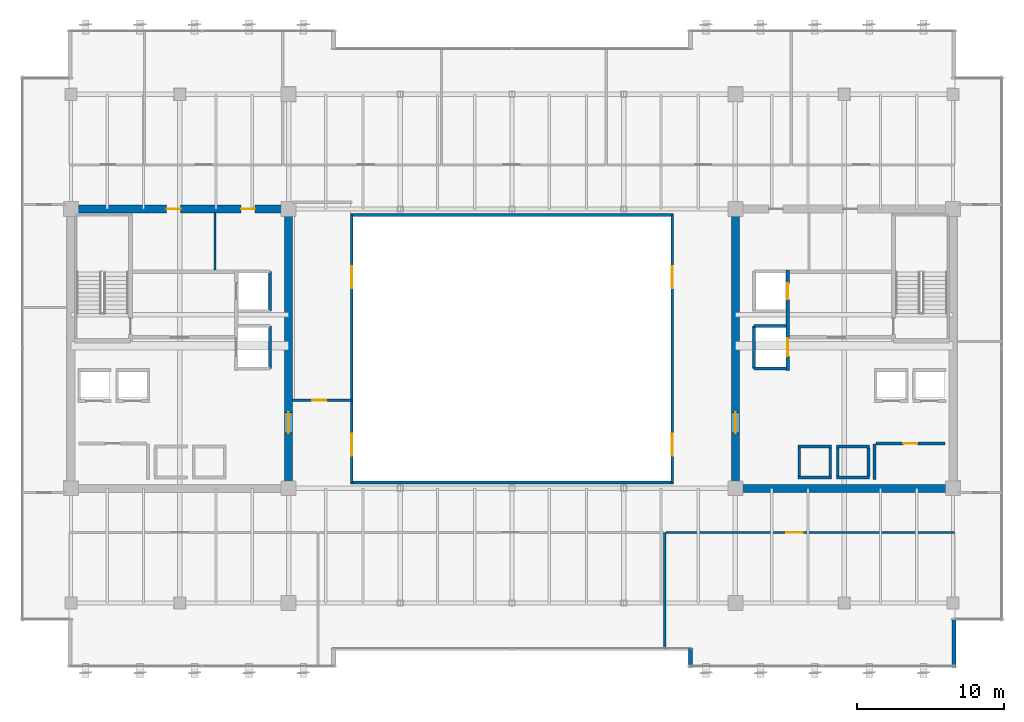
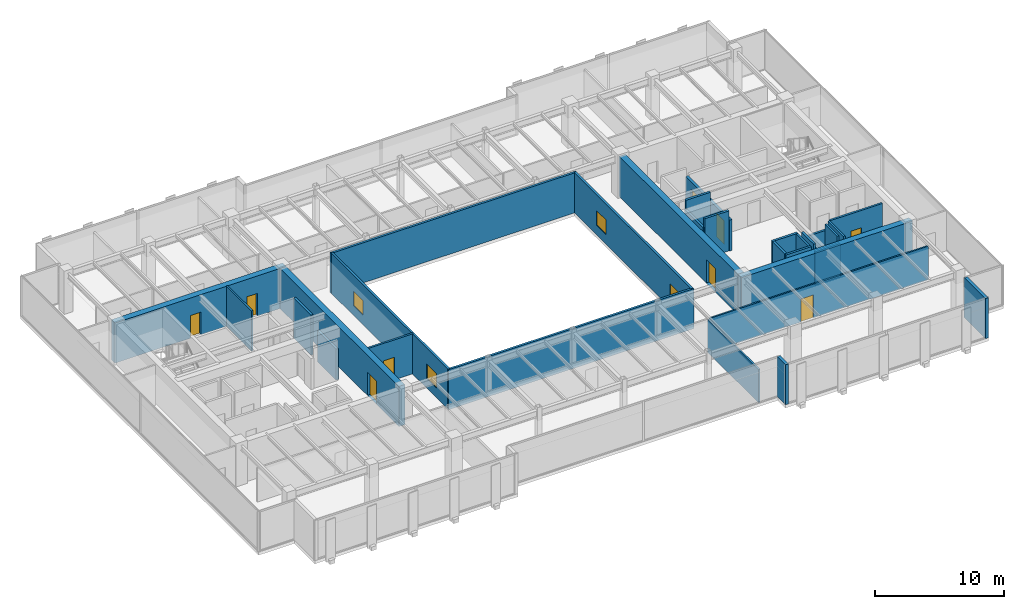
# One storey, part 29 of 35: 30 walls, 9 doors, 4 windows, 13 openings.
"""IFC4 building model written with IfcOpenShell, lengths in metres."""

from ifc_helpers import new_model, si_unit, direction, frame, frame_2d, origin, place, context, subcontext, project, spatial, rectangle, extrude, source, transform, mapped, material, layer, layer_set, type_object, type_shapes, element, fill, save


model = new_model("IFC4")

# Units and contexts
model_context = context("Model", 3, precision=1e-05, world=origin(), true_north=direction((0.0, 1.0)))
body_context = subcontext(model_context, "Body", "Model", "MODEL_VIEW")
ifc_project = project(units=[si_unit("LENGTHUNIT", "METRE"), si_unit("AREAUNIT", "SQUARE_METRE"), si_unit("VOLUMEUNIT", "CUBIC_METRE"), si_unit("PLANEANGLEUNIT", "RADIAN"), si_unit("MASSUNIT", "GRAM", prefix="KILO")], contexts=[model_context])

# Site, building, storey
site_placement = place(None, origin())
site = spatial("IfcSite", under=ifc_project, at=site_placement, CompositionType="ELEMENT")
building_placement = place(site_placement, origin())
building = spatial("IfcBuilding", under=site, at=building_placement, Name="Haelvirn Gate Laboratories", CompositionType="ELEMENT")
storey_placement = place(building_placement, frame((0.0, 0.0, 201.39990234375)))
storey = spatial("IfcBuildingStorey", under=building, at=storey_placement, Name="L48", CompositionType="ELEMENT", Elevation=201.39990234375)

# Walls
ifc_material_1 = material(Name="Thermally-broken bronze aluminium rainscreen & mineral wool", Category="aluminium")
ifc_layer_1 = layer(ifc_material_1, 0.280029296875, Name="EW-TERR-280")
ifc_layer_set_1 = layer_set([ifc_layer_1], Name="Thermally-broken bronze aluminium rainscreen & mineral wool")
wall_type_1 = type_object("IfcWallType", Name="EW-TERR-280", PredefinedType="STANDARD", material=ifc_layer_set_1)
wall_1_placement = place(storey_placement, frame((49.5400390625, 3.89306640625, 0.0), z_axis=(0.0, 0.0, 1.0), x_axis=(0.0, -1.0, 0.0)))
element("IfcWall", 1, at=wall_1_placement, inside=storey, type_object=wall_type_1, Name="L48 Atrium Recess Bronze Return Wall 03", PredefinedType="STANDARD", context=body_context, shape_type="SweptSolid", body=[
    extrude(rectangle(XDim=1.29296875, YDim=0.280029296875, at=frame_2d((0.646484375, 0.0))), origin(), (0.0, 0.0, 1.0), 3.800048828125),
])
wall_2_placement = place(storey_placement, frame((67.4599609375, 2.60009765625, 0.0), z_axis=(0.0, 0.0, 1.0), x_axis=(0.0, 1.0, 0.0)))
element("IfcWall", 2, at=wall_2_placement, inside=storey, type_object=wall_type_1, Name="L48 Atrium Recess Bronze Return Wall 05", PredefinedType="STANDARD", context=body_context, shape_type="SweptSolid", body=[
    extrude(rectangle(XDim=3.287841796875, YDim=0.280029296875, at=frame_2d((1.64404296875, 0.0))), origin(), (0.0, 0.0, 1.0), 3.800048828125),
])
ifc_material_2 = material(Name="Double-layer acoustic gypsum laboratory partition", Category="gypsum")
ifc_layer_2 = layer(ifc_material_2, 0.159912109375, Name="IW-ACOUST-160")
ifc_layer_set_2 = layer_set([ifc_layer_2], Name="Double-layer acoustic gypsum laboratory partition")
wall_type_2 = type_object("IfcWallType", Name="IW-ACOUST-160", PredefinedType="PARTITIONING", material=ifc_layer_set_2)
wall_3_placement = place(storey_placement, frame((47.800048828125, 3.909912109375, 0.0), z_axis=(0.0, 0.0, 1.0), x_axis=(0.0, 1.0, 0.0)))
element("IfcWall", 3, at=wall_3_placement, inside=storey, type_object=wall_type_2, Name="L48 Interior Wall IW-L48-SDIV-02", PredefinedType="PARTITIONING", context=body_context, shape_type="SweptSolid", body=[
    extrude(rectangle(XDim=7.880126953125, YDim=0.159912109375, at=frame_2d((3.93994140625, 0.0))), origin(), (0.0, 0.0, 1.0), 3.135009765625),
])

# Wall, opening, door
ifc_material_3 = material(Name="Fire-rated acoustic gypsum board partition", Category="gypsum")
ifc_layer_3 = layer(ifc_material_3, 0.175048828125, Name="IW-ACOUST-180")
ifc_layer_set_3 = layer_set([ifc_layer_3], Name="Fire-rated acoustic gypsum board partition")
wall_type_3 = type_object("IfcWallType", Name="IW-ACOUST-180", PredefinedType="PARTITIONING", material=ifc_layer_set_3)
wall_4_placement = place(storey_placement, frame((22.47509765625, 20.800048828125, 0.0), z_axis=(0.0, 0.0, 1.0), x_axis=(1.0, 0.0, 0.0)))
wall_4 = element("IfcWall", 4, at=wall_4_placement, inside=storey, type_object=wall_type_3, Name="L48 Interior Wall IW-L48-WPOD-S", PredefinedType="PARTITIONING", context=body_context, shape_type="SweptSolid", body=[
    extrude(rectangle(XDim=4.02490234375, YDim=0.175048828125, at=frame_2d((2.012451171875, 0.0))), origin(), (0.0, 0.0, 1.0), 3.800048828125),
])
opening_1_placement = place(wall_4_placement, frame((1.35009765625, 0.0, 0.0)))
opening_1 = element("IfcOpeningElement", 5, at=opening_1_placement, cuts=wall_4, Name="Opening FD4", PredefinedType="OPENING", context=body_context, shape_type="SweptSolid", body=[
    extrude(rectangle(XDim=0.949951171875, YDim=2.14990234375, at=frame_2d((0.47509765625, 1.074951171875))), frame((0.0, 0.09765625, 0.0), z_axis=(0.0, -1.0, 0.0), x_axis=(1.0, 0.0, 0.0)), (0.0, 0.0, 1.0), 0.195068359375),
])
ifc_material_4 = material(Name="Fire-rated steel SM355 core service door", Category="steel")
door_type_1 = type_object("IfcDoorType", Name="DR-FD-950", OperationType="NOTDEFINED", PredefinedType="DOOR", material=ifc_material_4)
shared_shape_1 = source(origin(), body_context, "Body", "SweptSolid", [
    extrude(rectangle(XDim=0.949951171875, YDim=2.14990234375, at=frame_2d((0.47509765625, 1.074951171875))), frame((0.0, 0.02490234375, 0.0), z_axis=(0.0, -1.0, 0.0), x_axis=(1.0, 0.0, 0.0)), (0.0, 0.0, 1.0), 0.050048828125),
])
type_shapes(door_type_1, [shared_shape_1])
door_1_placement = place(opening_1_placement, origin())
door_1 = element("IfcDoor", 6, at=door_1_placement, inside=storey, type_object=door_type_1, Name="L48 High-Zone Computational Suite Door", OperationType="SINGLE_SWING_RIGHT", OverallHeight=2.14990234375, OverallWidth=0.949951171875, PredefinedType="DOOR", context=body_context, shape_type="MappedRepresentation", body=[
    mapped(shared_shape_1, transform((0.0, 0.0, 0.0), scale=1.0)),
])
fill(opening_1, door_1)

# Wall, openings, windows
ifc_material_5 = material(Name="Tempered fire-rated borosilicate glass & anodised aluminium", Category="aluminium")
ifc_layer_4 = layer(ifc_material_5, 0.195068359375, Name="IW-GLAZ-200")
ifc_layer_set_4 = layer_set([ifc_layer_4], Name="Tempered fire-rated borosilicate glass & anodised aluminium")
wall_type_4 = type_object("IfcWallType", Name="IW-GLAZ-200", PredefinedType="SOLIDWALL", material=ifc_layer_set_4)
wall_5_placement = place(storey_placement, frame((26.5, 15.199951171875, 0.0), z_axis=(0.0, 0.0, 1.0), x_axis=(0.0, 1.0, 0.0)))
wall_5 = element("IfcWall", 7, at=wall_5_placement, inside=storey, type_object=wall_type_4, Name="L48 Interior Wall IW-L48-ATRIUM-W", PredefinedType="SOLIDWALL", context=body_context, shape_type="SweptSolid", body=[
    extrude(rectangle(XDim=18.199951171875, YDim=0.195068359375, at=frame_2d((9.10009765625, 0.0))), origin(), (0.0, 0.0, 1.0), 3.800048828125),
])
opening_2_placement = place(wall_5_placement, frame((1.800048828125, 0.0, 0.89990234375)))
opening_2 = element("IfcOpeningElement", 8, at=opening_2_placement, cuts=wall_5, Name="Opening W5", PredefinedType="OPENING", context=body_context, shape_type="SweptSolid", body=[
    extrude(rectangle(XDim=1.5, YDim=1.39990234375, at=frame_2d((0.75, 0.699951171875))), frame((0.0, 0.107421875, 0.0), z_axis=(0.0, -1.0, 0.0), x_axis=(1.0, 0.0, 0.0)), (0.0, 0.0, 1.0), 0.215087890625),
])
opening_3_placement = place(wall_5_placement, frame((13.199951171875, 0.0, 0.89990234375)))
opening_3 = element("IfcOpeningElement", 9, at=opening_3_placement, cuts=wall_5, Name="Opening W5", PredefinedType="OPENING", context=body_context, shape_type="SweptSolid", body=[
    extrude(rectangle(XDim=1.5, YDim=1.39990234375, at=frame_2d((0.75, 0.699951171875))), frame((0.0, 0.107421875, 0.0), z_axis=(0.0, -1.0, 0.0), x_axis=(1.0, 0.0, 0.0)), (0.0, 0.0, 1.0), 0.215087890625),
])
ifc_material_6 = material(Name="Fire-rated EI 120 borosilicate atrium vision glazing", Category="glass")
window_type = type_object("IfcWindowType", Name="WN-ATR-1500", PartitioningType="SINGLE_PANEL", PredefinedType="WINDOW", material=ifc_material_6)
shared_shape_2 = source(origin(), body_context, "Body", "SweptSolid", [
    extrude(rectangle(XDim=1.5, YDim=1.39990234375, at=frame_2d((0.75, 0.699951171875))), frame((0.0, 0.030029296875, 0.0), z_axis=(0.0, -1.0, 0.0), x_axis=(1.0, 0.0, 0.0)), (0.0, 0.0, 1.0), 0.06005859375),
])
type_shapes(window_type, [shared_shape_2])
window_1_placement = place(opening_2_placement, origin())
window_1 = element("IfcWindow", 10, at=window_1_placement, inside=storey, type_object=window_type, Name="L48 Atrium Observation Window 1", OverallHeight=1.39990234375, OverallWidth=1.5, PartitioningType="SINGLE_PANEL", PredefinedType="WINDOW", context=body_context, shape_type="MappedRepresentation", body=[
    mapped(shared_shape_2, transform((0.0, 0.0, 0.0), scale=1.0)),
])
fill(opening_2, window_1)
window_2_placement = place(opening_3_placement, origin())
window_2 = element("IfcWindow", 11, at=window_2_placement, inside=storey, type_object=window_type, Name="L48 Atrium Observation Window 2", OverallHeight=1.39990234375, OverallWidth=1.5, PartitioningType="SINGLE_PANEL", PredefinedType="WINDOW", context=body_context, shape_type="MappedRepresentation", body=[
    mapped(shared_shape_2, transform((0.0, 0.0, 0.0), scale=1.0)),
])
fill(opening_3, window_2)

wall_6_placement = place(storey_placement, frame((48.300048828125, 15.199951171875, 0.0), z_axis=(0.0, 0.0, 1.0), x_axis=(0.0, 1.0, 0.0)))
wall_6 = element("IfcWall", 12, at=wall_6_placement, inside=storey, type_object=wall_type_4, Name="L48 Interior Wall IW-L48-ATRIUM-E", PredefinedType="SOLIDWALL", context=body_context, shape_type="SweptSolid", body=[
    extrude(rectangle(XDim=18.199951171875, YDim=0.195068359375, at=frame_2d((9.10009765625, 0.0))), origin(), (0.0, 0.0, 1.0), 3.800048828125),
])
opening_4_placement = place(wall_6_placement, frame((1.800048828125, 0.0, 0.89990234375)))
opening_4 = element("IfcOpeningElement", 13, at=opening_4_placement, cuts=wall_6, Name="Opening W5", PredefinedType="OPENING", context=body_context, shape_type="SweptSolid", body=[
    extrude(rectangle(XDim=1.5, YDim=1.39990234375, at=frame_2d((0.75, 0.699951171875))), frame((0.0, 0.107421875, 0.0), z_axis=(0.0, -1.0, 0.0), x_axis=(1.0, 0.0, 0.0)), (0.0, 0.0, 1.0), 0.215087890625),
])
opening_5_placement = place(wall_6_placement, frame((13.199951171875, 0.0, 0.89990234375)))
opening_5 = element("IfcOpeningElement", 14, at=opening_5_placement, cuts=wall_6, Name="Opening W5", PredefinedType="OPENING", context=body_context, shape_type="SweptSolid", body=[
    extrude(rectangle(XDim=1.5, YDim=1.39990234375, at=frame_2d((0.75, 0.699951171875))), frame((0.0, 0.107421875, 0.0), z_axis=(0.0, -1.0, 0.0), x_axis=(1.0, 0.0, 0.0)), (0.0, 0.0, 1.0), 0.215087890625),
])
window_3_placement = place(opening_4_placement, origin())
window_3 = element("IfcWindow", 15, at=window_3_placement, inside=storey, type_object=window_type, Name="L48 Atrium Observation Window 1", OverallHeight=1.39990234375, OverallWidth=1.5, PartitioningType="SINGLE_PANEL", PredefinedType="WINDOW", context=body_context, shape_type="MappedRepresentation", body=[
    mapped(shared_shape_2, transform((0.0, 0.0, 0.0), scale=1.0)),
])
fill(opening_4, window_3)
window_4_placement = place(opening_5_placement, origin())
window_4 = element("IfcWindow", 16, at=window_4_placement, inside=storey, type_object=window_type, Name="L48 Atrium Observation Window 2", OverallHeight=1.39990234375, OverallWidth=1.5, PartitioningType="SINGLE_PANEL", PredefinedType="WINDOW", context=body_context, shape_type="MappedRepresentation", body=[
    mapped(shared_shape_2, transform((0.0, 0.0, 0.0), scale=1.0)),
])
fill(opening_5, window_4)

# Walls
for number, where, z_axis, x_axis, name in (
    (17, (26.39990234375, 15.199951171875, 0.0), (0.0, 0.0, 1.0), (1.0, 0.0, 0.0), "L48 Interior Wall IW-L48-ATRIUM-S"),
    (18, (26.39990234375, 33.39990234375, 0.0), (0.0, 0.0, 1.0), (1.0, 0.0, 0.0), "L48 Interior Wall IW-L48-ATRIUM-N"),
):
    element("IfcWall", number, at=place(storey_placement, frame(where, z_axis=z_axis, x_axis=x_axis)), inside=storey, type_object=wall_type_4, Name=name, PredefinedType="SOLIDWALL", context=body_context, shape_type="SweptSolid", body=[
        extrude(rectangle(XDim=22.0, YDim=0.195068359375, at=frame_2d((11.0, 0.0))), origin(), (0.0, 0.0, 1.0), 3.800048828125),
    ])

# Wall, opening, door
ifc_material_7 = material(Name="Acoustic mineral-wool gypsum board partition", Category="gypsum")
ifc_layer_5 = layer(ifc_material_7, 0.139892578125, Name="IW-PART-140")
ifc_layer_set_5 = layer_set([ifc_layer_5], Name="Acoustic mineral-wool gypsum board partition")
wall_type_5 = type_object("IfcWallType", Name="IW-PART-140", PredefinedType="PARTITIONING", material=ifc_layer_set_5)
wall_7_placement = place(storey_placement, frame((47.8798828125, 11.7900390625, 0.0), z_axis=(0.0, 0.0, 1.0), x_axis=(1.0, 0.0, 0.0)))
wall_7 = element("IfcWall", 19, at=wall_7_placement, inside=storey, type_object=wall_type_5, Name="L48 Interior Wall IW-L48-SCORR-03", PredefinedType="PARTITIONING", context=body_context, shape_type="SweptSolid", body=[
    extrude(rectangle(XDim=19.610107421875, YDim=0.139892578125, at=frame_2d((9.80517578125, 0.0))), origin(), (0.0, 0.0, 1.0), 3.197021484375),
])
opening_6_placement = place(wall_7_placement, frame((8.186279296875, 0.0, 0.0)))
opening_6 = element("IfcOpeningElement", 20, at=opening_6_placement, cuts=wall_7, Name="Opening D1", PredefinedType="OPENING", context=body_context, shape_type="SweptSolid", body=[
    extrude(rectangle(XDim=1.10009765625, YDim=2.179931640625, at=frame_2d((0.550048828125, 1.08984375))), frame((0.0, 0.080078125, 0.0), z_axis=(0.0, -1.0, 0.0), x_axis=(1.0, 0.0, 0.0)), (0.0, 0.0, 1.0), 0.159912109375),
])
ifc_material_8 = material(Name="Vision-panel acoustic solid-core timber lab door", Category="wood")
door_type_2 = type_object("IfcDoorType", Name="DR-LAB-1100", OperationType="NOTDEFINED", PredefinedType="DOOR", material=ifc_material_8)
shared_shape_3 = source(origin(), body_context, "Body", "SweptSolid", [
    extrude(rectangle(XDim=1.10009765625, YDim=2.179931640625, at=frame_2d((0.550048828125, 1.08984375))), frame((0.0, 0.02490234375, 0.0), z_axis=(0.0, -1.0, 0.0), x_axis=(1.0, 0.0, 0.0)), (0.0, 0.0, 1.0), 0.050048828125),
])
type_shapes(door_type_2, [shared_shape_3])
door_2_placement = place(opening_6_placement, origin())
door_2 = element("IfcDoor", 21, at=door_2_placement, inside=storey, type_object=door_type_2, Name="L48 Bioinformatics Dry-Lab Workspace Door S3", OperationType="SINGLE_SWING_LEFT", OverallHeight=2.179931640625, OverallWidth=1.10009765625, PredefinedType="DOOR", context=body_context, shape_type="MappedRepresentation", body=[
    mapped(shared_shape_3, transform((0.0, 0.0, 0.0), scale=1.0)),
])
fill(opening_6, door_2)

# Walls
ifc_material_9 = material(Name="Cement-board restroom plumbing chase wall", Category="gypsum")
ifc_layer_6 = layer(ifc_material_9, 0.155029296875, Name="IW-PLUMB-160")
ifc_layer_set_6 = layer_set([ifc_layer_6], Name="Cement-board restroom plumbing chase wall")
wall_type_6 = type_object("IfcWallType", Name="IW-PLUMB-160", PredefinedType="PLUMBINGWALL", material=ifc_layer_set_6)
wall_8_placement = place(storey_placement, frame((17.18994140625, 29.64990234375, 0.0), z_axis=(0.0, 0.0, 1.0), x_axis=(0.0, 1.0, 0.0)))
element("IfcWall", 22, at=wall_8_placement, inside=storey, type_object=wall_type_6, Name="L48 Interior Wall IW-L48-W-CDIV-1", PredefinedType="PLUMBINGWALL", context=body_context, shape_type="SweptSolid", body=[
    extrude(rectangle(XDim=3.93017578125, YDim=0.155029296875, at=frame_2d((1.965087890625, 0.0))), origin(), (0.0, 0.0, 1.0), 3.800048828125),
])
ifc_material_10 = material(Name="Concrete C40/50", Category="concrete")
ifc_layer_7 = layer(ifc_material_10, 0.179931640625, Name="IW-SHAFT-180")
ifc_layer_set_7 = layer_set([ifc_layer_7], Name="Concrete C40/50")
wall_type_7 = type_object("IfcWallType", Name="IW-SHAFT-180", PredefinedType="SOLIDWALL", material=ifc_layer_set_7)
for number, where, z_axis, x_axis, name in (
    (23, (59.550048828125, 15.64990234375, 0.0), (0.0, 0.0, 1.0), (0.0, 1.0, 0.0), "L48 Interior Wall IW-L48-PL7-SD"),
    (24, (61.64990234375, 15.64990234375, 0.0), (0.0, 0.0, 1.0), (0.0, 1.0, 0.0), "L48 Interior Wall IW-L48-PL7-SDE"),
    (25, (56.949951171875, 15.64990234375, 0.0), (0.0, 0.0, 1.0), (0.0, 1.0, 0.0), "L48 Interior Wall IW-L48-PL8-SD"),
    (26, (59.050048828125, 15.64990234375, 0.0), (0.0, 0.0, 1.0), (0.0, 1.0, 0.0), "L48 Interior Wall IW-L48-PL8-SDE"),
):
    element("IfcWall", number, at=place(storey_placement, frame(where, z_axis=z_axis, x_axis=x_axis)), inside=storey, type_object=wall_type_7, Name=name, PredefinedType="SOLIDWALL", context=body_context, shape_type="SweptSolid", body=[
        extrude(rectangle(XDim=1.900146484375, YDim=0.179931640625, at=frame_2d((0.9501953125, 0.0))), origin(), (0.0, 0.0, 1.0), 3.800048828125),
    ])

# Wall, opening, door
wall_9_placement = place(storey_placement, frame((62.14990234375, 17.85009765625, 0.0), z_axis=(0.0, 0.0, 1.0), x_axis=(1.0, 0.0, 0.0)))
wall_9 = element("IfcWall", 27, at=wall_9_placement, inside=storey, type_object=wall_type_7, Name="L48 Interior Wall IW-L48-E-FREED-LN-1", PredefinedType="SOLIDWALL", context=body_context, shape_type="SweptSolid", body=[
    extrude(rectangle(XDim=4.7001953125, YDim=0.179931640625, at=frame_2d((2.35009765625, 0.0))), origin(), (0.0, 0.0, 1.0), 3.800048828125),
])
opening_7_placement = place(wall_9_placement, frame((1.875, 0.0, 0.0)))
opening_7 = element("IfcOpeningElement", 28, at=opening_7_placement, cuts=wall_9, Name="Opening FD4", PredefinedType="OPENING", context=body_context, shape_type="SweptSolid", body=[
    extrude(rectangle(XDim=0.949951171875, YDim=2.14990234375, at=frame_2d((0.47509765625, 1.074951171875))), frame((0.0, 0.10009765625, 0.0), z_axis=(0.0, -1.0, 0.0), x_axis=(1.0, 0.0, 0.0)), (0.0, 0.0, 1.0), 0.199951171875),
])
door_3_placement = place(opening_7_placement, origin())
door_3 = element("IfcDoor", 29, at=door_3_placement, inside=storey, type_object=door_type_1, Name="L48 Cryogenic Specimen Biobank Door", OperationType="SINGLE_SWING_LEFT", OverallHeight=2.14990234375, OverallWidth=0.949951171875, PredefinedType="DOOR", context=body_context, shape_type="MappedRepresentation", body=[
    mapped(shared_shape_1, transform((0.0, 0.0, 0.0), scale=1.0)),
])
fill(opening_7, door_3)

# Walls
wall_10_placement = place(storey_placement, frame((62.06005859375, 15.39990234375, 0.0), z_axis=(0.0, 0.0, 1.0), x_axis=(0.0, 1.0, 0.0)))
element("IfcWall", 30, at=wall_10_placement, inside=storey, type_object=wall_type_7, Name="L48 Interior Wall IW-L48-E-FREED-LE-1", PredefinedType="SOLIDWALL", context=body_context, shape_type="SweptSolid", body=[
    extrude(rectangle(XDim=2.400146484375, YDim=0.179931640625, at=frame_2d((1.2001953125, 0.0))), origin(), (0.0, 0.0, 1.0), 3.800048828125),
])
ifc_layer_8 = layer(ifc_material_10, 0.199951171875, Name="IW-SHAFT-200")
ifc_layer_set_8 = layer_set([ifc_layer_8], Name="Concrete C40/50")
wall_type_8 = type_object("IfcWallType", Name="IW-SHAFT-200", PredefinedType="SOLIDWALL", material=ifc_layer_set_8)
wall_11_placement = place(storey_placement, frame((20.949951171875, 26.85009765625, 0.0), z_axis=(0.0, 0.0, 1.0), x_axis=(0.0, 1.0, 0.0)))
element("IfcWall", 31, at=wall_11_placement, inside=storey, type_object=wall_type_8, Name="L48 Interior Wall IW-L48-FL1-BK", PredefinedType="SOLIDWALL", context=body_context, shape_type="SweptSolid", body=[
    extrude(rectangle(XDim=2.699951171875, YDim=0.199951171875, at=frame_2d((1.35009765625, 0.0))), origin(), (0.0, 0.0, 1.0), 3.800048828125),
])
wall_12_placement = place(storey_placement, frame((20.949951171875, 22.949951171875, 0.0), z_axis=(0.0, 0.0, 1.0), x_axis=(0.0, 1.0, 0.0)))
element("IfcWall", 32, at=wall_12_placement, inside=storey, type_object=wall_type_8, Name="L48 Interior Wall IW-L48-SL1-BK", PredefinedType="SOLIDWALL", context=body_context, shape_type="SweptSolid", body=[
    extrude(rectangle(XDim=2.900146484375, YDim=0.199951171875, at=frame_2d((1.4501953125, 0.0))), origin(), (0.0, 0.0, 1.0), 2.93505859375),
])
for number, where, z_axis, x_axis, name in (
    (33, (59.469970703125, 17.64990234375, 0.0), (0.0, 0.0, 1.0), (1.0, 0.0, 0.0), "L48 Interior Wall IW-L48-PL7-FR"),
    (34, (59.469970703125, 15.550048828125, 0.0), (0.0, 0.0, 1.0), (1.0, 0.0, 0.0), "L48 Interior Wall IW-L48-PL7-BK"),
):
    element("IfcWall", number, at=place(storey_placement, frame(where, z_axis=z_axis, x_axis=x_axis)), inside=storey, type_object=wall_type_8, Name=name, PredefinedType="SOLIDWALL", context=body_context, shape_type="SweptSolid", body=[
        extrude(rectangle(XDim=2.260009765625, YDim=0.199951171875, at=frame_2d((1.1298828125, 0.0))), origin(), (0.0, 0.0, 1.0), 3.197021484375),
    ])
for number, where, z_axis, x_axis, name in (
    (35, (56.8701171875, 17.64990234375, 0.0), (0.0, 0.0, 1.0), (1.0, 0.0, 0.0), "L48 Interior Wall IW-L48-PL8-FR"),
    (36, (56.8701171875, 15.550048828125, 0.0), (0.0, 0.0, 1.0), (1.0, 0.0, 0.0), "L48 Interior Wall IW-L48-PL8-BK"),
):
    element("IfcWall", number, at=place(storey_placement, frame(where, z_axis=z_axis, x_axis=x_axis)), inside=storey, type_object=wall_type_8, Name=name, PredefinedType="SOLIDWALL", context=body_context, shape_type="SweptSolid", body=[
        extrude(rectangle(XDim=2.259765625, YDim=0.199951171875, at=frame_2d((1.1298828125, 0.0))), origin(), (0.0, 0.0, 1.0), 3.800048828125),
    ])
wall_13_placement = place(storey_placement, frame((53.85009765625, 22.949951171875, 0.0), z_axis=(0.0, 0.0, 1.0), x_axis=(0.0, 1.0, 0.0)))
element("IfcWall", 37, at=wall_13_placement, inside=storey, type_object=wall_type_8, Name="L48 Interior Wall IW-L48-SL2-BK", PredefinedType="SOLIDWALL", context=body_context, shape_type="SweptSolid", body=[
    extrude(rectangle(XDim=2.900146484375, YDim=0.199951171875, at=frame_2d((1.4501953125, 0.0))), origin(), (0.0, 0.0, 1.0), 2.93505859375),
])
for number, where, z_axis, x_axis, name in (
    (38, (53.85009765625, 25.85009765625, 0.0), (0.0, 0.0, 1.0), (1.0, 0.0, 0.0), "L48 Interior Wall IW-L48-SL2-N"),
    (39, (53.85009765625, 22.949951171875, 0.0), (0.0, 0.0, 1.0), (1.0, 0.0, 0.0), "L48 Interior Wall IW-L48-SL2-S"),
):
    element("IfcWall", number, at=place(storey_placement, frame(where, z_axis=z_axis, x_axis=x_axis)), inside=storey, type_object=wall_type_8, Name=name, PredefinedType="SOLIDWALL", context=body_context, shape_type="SweptSolid", body=[
        extrude(rectangle(XDim=2.18994140625, YDim=0.199951171875, at=frame_2d((1.094970703125, 0.0))), origin(), (0.0, 0.0, 1.0), 3.800048828125),
    ])

# Wall, openings, doors
ifc_layer_9 = layer(ifc_material_10, 0.239990234375, Name="IW-SHAFT-240")
ifc_layer_set_9 = layer_set([ifc_layer_9], Name="Concrete C40/50")
wall_type_9 = type_object("IfcWallType", Name="IW-SHAFT-240", PredefinedType="SOLIDWALL", material=ifc_layer_set_9)
wall_14_placement = place(storey_placement, frame((56.159912109375, 22.800048828125, 0.0), z_axis=(0.0, 0.0, 1.0), x_axis=(0.0, 1.0, 0.0)))
wall_14 = element("IfcWall", 40, at=wall_14_placement, inside=storey, type_object=wall_type_9, Name="L48 Interior Wall IW-L48-E-FF-E", PredefinedType="SOLIDWALL", context=body_context, shape_type="SweptSolid", body=[
    extrude(rectangle(XDim=6.849853515625, YDim=0.239990234375, at=frame_2d((3.4248046875, 0.0))), origin(), (0.0, 0.0, 1.0), 2.93505859375),
])
opening_8_placement = place(wall_14_placement, frame((4.85009765625, 0.0, 0.0)))
opening_8 = element("IfcOpeningElement", 41, at=opening_8_placement, cuts=wall_14, Name="Opening LD2", PredefinedType="OPENING", context=body_context, shape_type="SweptSolid", body=[
    extrude(rectangle(XDim=1.10009765625, YDim=2.219970703125, at=frame_2d((0.550048828125, 1.10986328125))), frame((0.0, 0.1298828125, 0.0), z_axis=(0.0, -1.0, 0.0), x_axis=(1.0, 0.0, 0.0)), (0.0, 0.0, 1.0), 0.260009765625),
])
opening_9_placement = place(wall_14_placement, frame((1.0, 0.0, 0.0)))
opening_9 = element("IfcOpeningElement", 42, at=opening_9_placement, cuts=wall_14, Name="Opening LD1", PredefinedType="OPENING", context=body_context, shape_type="SweptSolid", body=[
    extrude(rectangle(XDim=1.199951171875, YDim=2.219970703125, at=frame_2d((0.60009765625, 1.10986328125))), frame((0.0, 0.1298828125, 0.0), z_axis=(0.0, -1.0, 0.0), x_axis=(1.0, 0.0, 0.0)), (0.0, 0.0, 1.0), 0.260009765625),
])
ifc_material_11 = material(Name="Bronze stainless 316L sliding lift landing door")
door_type_3 = type_object("IfcDoorType", Name="DR-LD-1100", OperationType="NOTDEFINED", PredefinedType="USERDEFINED", material=ifc_material_11)
shared_shape_4 = source(origin(), body_context, "Body", "SweptSolid", [
    extrude(rectangle(XDim=1.10009765625, YDim=2.219970703125, at=frame_2d((0.550048828125, 1.10986328125))), frame((0.0, 0.02490234375, 0.0), z_axis=(0.0, -1.0, 0.0), x_axis=(1.0, 0.0, 0.0)), (0.0, 0.0, 1.0), 0.050048828125),
])
type_shapes(door_type_3, [shared_shape_4])
door_4_placement = place(opening_8_placement, origin())
door_4 = element("IfcDoor", 43, at=door_4_placement, inside=storey, type_object=door_type_3, Name="L48 Firefighting Lift FL2 Landing Door", ObjectType="LANDING_DOOR", OperationType="SLIDING_TO_RIGHT", OverallHeight=2.219970703125, OverallWidth=1.10009765625, PredefinedType="USERDEFINED", context=body_context, shape_type="MappedRepresentation", body=[
    mapped(shared_shape_4, transform((0.0, 0.0, 0.0), scale=1.0)),
])
fill(opening_8, door_4)
ifc_material_12 = material(Name="Stainless steel 316L sliding goods landing door", Category="steel")
door_type_4 = type_object("IfcDoorType", Name="DR-LD-1200", OperationType="NOTDEFINED", PredefinedType="USERDEFINED", material=ifc_material_12)
shared_shape_5 = source(origin(), body_context, "Body", "SweptSolid", [
    extrude(rectangle(XDim=1.199951171875, YDim=2.219970703125, at=frame_2d((0.60009765625, 1.10986328125))), frame((0.0, 0.02490234375, 0.0), z_axis=(0.0, -1.0, 0.0), x_axis=(1.0, 0.0, 0.0)), (0.0, 0.0, 1.0), 0.050048828125),
])
type_shapes(door_type_4, [shared_shape_5])
door_5_placement = place(opening_9_placement, origin())
door_5 = element("IfcDoor", 44, at=door_5_placement, inside=storey, type_object=door_type_4, Name="L48 Service Lift SL2 Landing Door", ObjectType="LANDING_DOOR", OperationType="SLIDING_TO_LEFT", OverallHeight=2.219970703125, OverallWidth=1.199951171875, PredefinedType="USERDEFINED", context=body_context, shape_type="MappedRepresentation", body=[
    mapped(shared_shape_5, transform((0.0, 0.0, 0.0), scale=1.0)),
])
fill(opening_9, door_5)

ifc_material_13 = material(Name="Concrete C50/60", Category="concrete")
ifc_layer_10 = layer(ifc_material_13, 0.550048828125, Name="SW-CORE-550")
ifc_layer_set_10 = layer_set([ifc_layer_10], Name="Concrete C50/60")
wall_type_10 = type_object("IfcWallType", Name="SW-CORE-550", PredefinedType="SHEAR", material=ifc_layer_set_10)
wall_15_placement = place(storey_placement, frame((7.125, 33.800048828125, 0.0), z_axis=(0.0, 0.0, 1.0), x_axis=(1.0, 0.0, 0.0)))
wall_15 = element("IfcWall", 45, at=wall_15_placement, inside=storey, type_object=wall_type_10, Name="L48 W Core Shear Wall N", PredefinedType="SHEAR", context=body_context, shape_type="SweptSolid", body=[
    extrude(rectangle(XDim=15.35009765625, YDim=0.550048828125, at=frame_2d((7.675048828125, 0.0))), origin(), (0.0, 0.0, 1.0), 3.800048828125),
])
opening_10_placement = place(wall_15_placement, frame((6.77490234375, 0.0, 0.0)))
opening_10 = element("IfcOpeningElement", 46, at=opening_10_placement, cuts=wall_15, Name="Opening FD4", PredefinedType="OPENING", context=body_context, shape_type="SweptSolid", body=[
    extrude(rectangle(XDim=0.949951171875, YDim=2.14990234375, at=frame_2d((0.47509765625, 1.074951171875))), frame((0.0, 0.28515625, 0.0), z_axis=(0.0, -1.0, 0.0), x_axis=(1.0, 0.0, 0.0)), (0.0, 0.0, 1.0), 0.570068359375),
])
opening_11_placement = place(wall_15_placement, frame((11.840087890625, 0.0, 0.0)))
opening_11 = element("IfcOpeningElement", 47, at=opening_11_placement, cuts=wall_15, Name="Opening FD4", PredefinedType="OPENING", context=body_context, shape_type="SweptSolid", body=[
    extrude(rectangle(XDim=0.949951171875, YDim=2.14990234375, at=frame_2d((0.47509765625, 1.074951171875))), frame((0.0, 0.28515625, 0.0), z_axis=(0.0, -1.0, 0.0), x_axis=(1.0, 0.0, 0.0)), (0.0, 0.0, 1.0), 0.570068359375),
])
door_6_placement = place(opening_10_placement, origin())
door_6 = element("IfcDoor", 48, at=door_6_placement, inside=storey, type_object=door_type_1, Name="L48 All-Gender Multi-Stall Restroom Fire Door", OperationType="SINGLE_SWING_LEFT", OverallHeight=2.14990234375, OverallWidth=0.949951171875, PredefinedType="DOOR", context=body_context, shape_type="MappedRepresentation", body=[
    mapped(shared_shape_1, transform((0.0, 0.0, 0.0), scale=1.0)),
])
fill(opening_10, door_6)
door_7_placement = place(opening_11_placement, origin())
door_7 = element("IfcDoor", 49, at=door_7_placement, inside=storey, type_object=door_type_1, Name="L48 Accessible Restroom Fire Door", OperationType="SINGLE_SWING_RIGHT", OverallHeight=2.14990234375, OverallWidth=0.949951171875, PredefinedType="DOOR", context=body_context, shape_type="MappedRepresentation", body=[
    mapped(shared_shape_1, transform((0.0, 0.0, 0.0), scale=1.0)),
])
fill(opening_11, door_7)

# Wall, opening, door
wall_16_placement = place(storey_placement, frame((22.199951171875, 15.074951171875, 0.0), z_axis=(0.0, 0.0, 1.0), x_axis=(0.0, 1.0, 0.0)))
wall_16 = element("IfcWall", 50, at=wall_16_placement, inside=storey, type_object=wall_type_10, Name="L48 W Core Shear Wall E", PredefinedType="SHEAR", context=body_context, shape_type="SweptSolid", body=[
    extrude(rectangle(XDim=18.449951171875, YDim=0.550048828125, at=frame_2d((9.22509765625, 0.0))), origin(), (0.0, 0.0, 1.0), 3.800048828125),
])
opening_12_placement = place(wall_16_placement, frame((3.47509765625, 0.0, 0.0)))
opening_12 = element("IfcOpeningElement", 51, at=opening_12_placement, cuts=wall_16, Name="Opening FD1", PredefinedType="OPENING", context=body_context, shape_type="SweptSolid", body=[
    extrude(rectangle(XDim=1.419921875, YDim=2.199951171875, at=frame_2d((0.7099609375, 1.10009765625))), frame((0.0, 0.28515625, 0.0), z_axis=(0.0, -1.0, 0.0), x_axis=(1.0, 0.0, 0.0)), (0.0, 0.0, 1.0), 0.570068359375),
])
ifc_material_14 = material(Name="Fire-rated double steel SM355 lobby door", Category="steel")
door_type_5 = type_object("IfcDoorType", Name="DR-FD-1400", OperationType="NOTDEFINED", PredefinedType="DOOR", material=ifc_material_14)
shared_shape_6 = source(origin(), body_context, "Body", "SweptSolid", [
    extrude(rectangle(XDim=1.419921875, YDim=2.199951171875, at=frame_2d((0.7099609375, 1.10009765625))), frame((0.0, 0.02490234375, 0.0), z_axis=(0.0, -1.0, 0.0), x_axis=(1.0, 0.0, 0.0)), (0.0, 0.0, 1.0), 0.050048828125),
])
type_shapes(door_type_5, [shared_shape_6])
door_8_placement = place(opening_12_placement, origin())
door_8 = element("IfcDoor", 52, at=door_8_placement, inside=storey, type_object=door_type_5, Name="L48 West Core Lift Lobby Fire Door", OperationType="DOUBLE_DOOR_SINGLE_SWING", OverallHeight=2.199951171875, OverallWidth=1.419921875, PredefinedType="DOOR", context=body_context, shape_type="MappedRepresentation", body=[
    mapped(shared_shape_6, transform((0.0, 0.0, 0.0), scale=1.0)),
])
fill(opening_12, door_8)

# Wall
wall_17_placement = place(storey_placement, frame((52.324951171875, 14.800048828125, 0.0), z_axis=(0.0, 0.0, 1.0), x_axis=(1.0, 0.0, 0.0)))
element("IfcWall", 53, at=wall_17_placement, inside=storey, type_object=wall_type_10, Name="L48 E Core Shear Wall S", PredefinedType="SHEAR", context=body_context, shape_type="SweptSolid", body=[
    extrude(rectangle(XDim=15.35009765625, YDim=0.550048828125, at=frame_2d((7.675048828125, 0.0))), origin(), (0.0, 0.0, 1.0), 3.800048828125),
])

# Wall, opening, door
wall_18_placement = place(storey_placement, frame((52.60009765625, 15.074951171875, 0.0), z_axis=(0.0, 0.0, 1.0), x_axis=(0.0, 1.0, 0.0)))
wall_18 = element("IfcWall", 54, at=wall_18_placement, inside=storey, type_object=wall_type_10, Name="L48 E Core Shear Wall W", PredefinedType="SHEAR", context=body_context, shape_type="SweptSolid", body=[
    extrude(rectangle(XDim=18.449951171875, YDim=0.550048828125, at=frame_2d((9.22509765625, 0.0))), origin(), (0.0, 0.0, 1.0), 3.800048828125),
])
opening_13_placement = place(wall_18_placement, frame((3.47509765625, 0.0, 0.0)))
opening_13 = element("IfcOpeningElement", 55, at=opening_13_placement, cuts=wall_18, Name="Opening FD1", PredefinedType="OPENING", context=body_context, shape_type="SweptSolid", body=[
    extrude(rectangle(XDim=1.419921875, YDim=2.199951171875, at=frame_2d((0.7099609375, 1.10009765625))), frame((0.0, 0.28515625, 0.0), z_axis=(0.0, -1.0, 0.0), x_axis=(1.0, 0.0, 0.0)), (0.0, 0.0, 1.0), 0.570068359375),
])
door_9_placement = place(opening_13_placement, origin())
door_9 = element("IfcDoor", 56, at=door_9_placement, inside=storey, type_object=door_type_5, Name="L48 East Core Lift Lobby Fire Door", OperationType="DOUBLE_DOOR_SINGLE_SWING", OverallHeight=2.199951171875, OverallWidth=1.419921875, PredefinedType="DOOR", context=body_context, shape_type="MappedRepresentation", body=[
    mapped(shared_shape_6, transform((0.0, 0.0, 0.0), scale=1.0)),
])
fill(opening_13, door_9)

save(model, "model.ifc")
